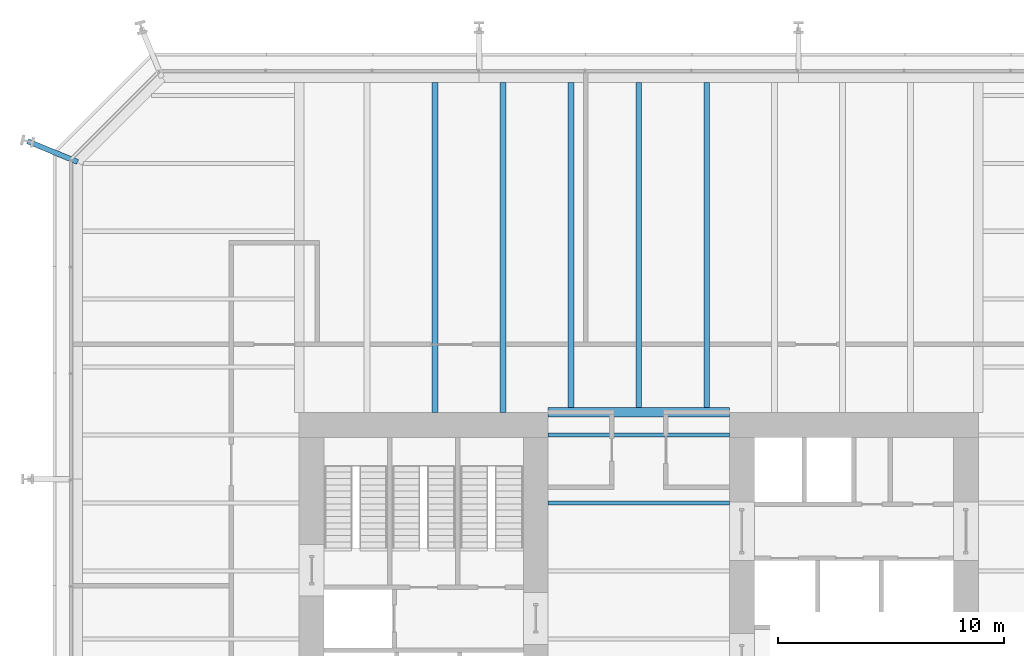
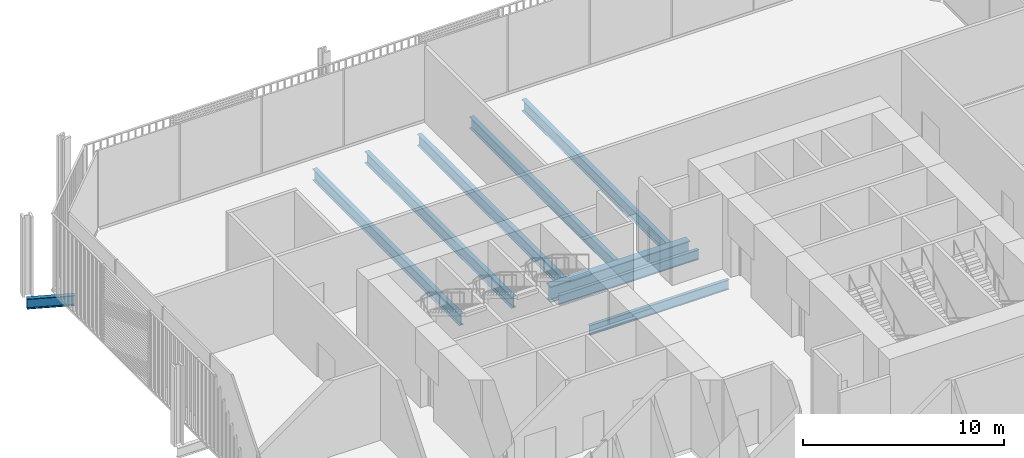
# One storey, part 13 of 22: 9 beams.
"""IFC4 building model written with IfcOpenShell, lengths in metres."""

from ifc_helpers import new_model, si_unit, direction, frame, origin, origin_2d, place, context, subcontext, project, spatial, i_section, extrude, material, material_profile, profile_set, type_object, element, save


model = new_model("IFC4")

# Units and contexts
model_context = context("Model", 3, precision=1e-05, world=origin(), true_north=direction((0.0, 1.0)))
body_context = subcontext(model_context, "Body", "Model", "MODEL_VIEW")
ifc_project = project(units=[si_unit("LENGTHUNIT", "METRE"), si_unit("AREAUNIT", "SQUARE_METRE"), si_unit("VOLUMEUNIT", "CUBIC_METRE"), si_unit("PLANEANGLEUNIT", "RADIAN"), si_unit("MASSUNIT", "GRAM", prefix="KILO")], contexts=[model_context])

# Site, building, storey
site_placement = place(None, origin())
site = spatial("IfcSite", under=ifc_project, at=site_placement, CompositionType="ELEMENT")
building_placement = place(site_placement, origin())
building = spatial("IfcBuilding", under=site, at=building_placement, Name="Millrace Tower", CompositionType="ELEMENT")
storey_placement = place(building_placement, frame((0.0, 0.0, 25.699951171875)))
storey = spatial("IfcBuildingStorey", under=building, at=storey_placement, Name="L06", CompositionType="ELEMENT", Elevation=25.699951171875)

# Beams
ifc_material_1 = material(Name="Steel ASTM A992 Grade 50", Category="steel")
ifc_material_profile_1 = material_profile(ifc_material_1, i_section(OverallWidth=0.177978515625, OverallDepth=0.599365234375, WebThickness=0.010009765625, FlangeThickness=0.012939453125, FilletRadius=0.012939453125, at=origin_2d()))
ifc_profile_set_1 = profile_set([ifc_material_profile_1], Name="Steel ASTM A992 Grade 50")
beam_type_1 = type_object("IfcBeamType", Name="Floor beam W24x55", PredefinedType="JOIST", material=ifc_profile_set_1)
for number, where, z_axis, x_axis, name in (
    (1, (-4.0, 6.0, -0.524658203125), (1.0, 0.0, 0.0), (0.0, 1.0, 0.0), "BM-A-L06-S1-S026"),
    (2, (-4.0, 9.0, -0.524658203125), (1.0, 0.0, 0.0), (0.0, 1.0, 0.0), "BM-A-L06-S1-S029"),
):
    element("IfcBeam", number, at=place(storey_placement, frame(where, z_axis=z_axis, x_axis=x_axis)), inside=storey, type_object=beam_type_1, Name=name, PredefinedType="JOIST", context=body_context, shape_type="SweptSolid", body=[
        extrude(i_section(OverallWidth=0.177978515625, OverallDepth=0.599365234375, WebThickness=0.010009765625, FlangeThickness=0.012939453125, FilletRadius=0.012939453125, at=origin_2d()), origin(), (0.0, 0.0, 1.0), 8.0),
    ])
ifc_material_2 = material(Name="Steel ASTM A992 Grade 50", Category="steel")
ifc_material_profile_2 = material_profile(ifc_material_2, i_section(OverallWidth=0.256591796875, OverallDepth=0.693359375, WebThickness=0.014404296875, FlangeThickness=0.023681640625, FilletRadius=0.01513671875, at=origin_2d()))
ifc_profile_set_2 = profile_set([ifc_material_profile_2], Name="Steel ASTM A992 Grade 50")
beam_type_2 = type_object("IfcBeamType", Name="Floor beam W27x114", PredefinedType="JOIST", material=ifc_profile_set_2)
for number, where, z_axis, x_axis, name in (
    (3, (-9.0, 10.0, -0.57177734375), (0.0, 1.0, 0.0), (-1.0, 0.0, 0.0), "BM-A-L06-S1-S044"),
    (4, (-6.0, 10.0, -0.57177734375), (0.0, 1.0, 0.0), (-1.0, 0.0, 0.0), "BM-A-L06-S1-S046"),
):
    element("IfcBeam", number, at=place(storey_placement, frame(where, z_axis=z_axis, x_axis=x_axis)), inside=storey, type_object=beam_type_2, Name=name, PredefinedType="JOIST", context=body_context, shape_type="SweptSolid", body=[
        extrude(i_section(OverallWidth=0.256591796875, OverallDepth=0.693359375, WebThickness=0.014404296875, FlangeThickness=0.023681640625, FilletRadius=0.01513671875, at=origin_2d()), origin(), (0.0, 0.0, 1.0), 14.578369140625),
    ])
for number, where, z_axis, x_axis, name in (
    (5, (-3.0, 10.212158203125, -0.57177734375), (0.0, 1.0, 0.0), (-1.0, 0.0, 0.0), "BM-A-L06-S1-S048"),
    (6, (0.0, 10.212158203125, -0.57177734375), (0.0, 1.0, 0.0), (-1.0, 0.0, 0.0), "BM-A-L06-S1-S050"),
    (7, (3.0, 10.212158203125, -0.57177734375), (0.0, 1.0, 0.0), (-1.0, 0.0, 0.0), "BM-A-L06-S1-S052"),
):
    element("IfcBeam", number, at=place(storey_placement, frame(where, z_axis=z_axis, x_axis=x_axis)), inside=storey, type_object=beam_type_2, Name=name, PredefinedType="JOIST", context=body_context, shape_type="SweptSolid", body=[
        extrude(i_section(OverallWidth=0.256591796875, OverallDepth=0.693359375, WebThickness=0.014404296875, FlangeThickness=0.023681640625, FilletRadius=0.01513671875, at=origin_2d()), origin(), (0.0, 0.0, 1.0), 14.3662109375),
    ])
ifc_material_3 = material(Name="Steel ASTM A992 Grade 50", Category="steel")
ifc_material_profile_3 = material_profile(ifc_material_3, i_section(OverallWidth=0.424072265625, OverallDepth=0.947509765625, WebThickness=0.02392578125, FlangeThickness=0.042724609375, FilletRadius=0.024169921875, at=origin_2d()))
ifc_profile_set_3 = profile_set([ifc_material_profile_3], Name="Steel ASTM A992 Grade 50")
beam_type_3 = type_object("IfcBeamType", Name="Girder short span W36x302", PredefinedType="BEAM", material=ifc_profile_set_3)
beam_1_placement = place(storey_placement, frame((-4.0, 10.0, -0.69873046875), z_axis=(1.0, 0.0, 0.0), x_axis=(0.0, 1.0, 0.0)))
element("IfcBeam", 8, at=beam_1_placement, inside=storey, type_object=beam_type_3, Name="BM-A-L06-S1-G064", PredefinedType="BEAM", context=body_context, shape_type="SweptSolid", body=[
    extrude(i_section(OverallWidth=0.424072265625, OverallDepth=0.947509765625, WebThickness=0.02392578125, FlangeThickness=0.042724609375, FilletRadius=0.024169921875, at=origin_2d()), origin(), (0.0, 0.0, 1.0), 8.0),
])
ifc_material_4 = material(Name="Steel ASTM A992 Grade 50", Category="steel")
ifc_material_profile_4 = material_profile(ifc_material_4, i_section(OverallWidth=0.23046875, OverallDepth=0.6171875, WebThickness=0.01318359375, FlangeThickness=0.022216796875, FilletRadius=0.012939453125, at=origin_2d()))
ifc_profile_set_4 = profile_set([ifc_material_profile_4], Name="Steel ASTM A992 Grade 50")
beam_type_4 = type_object("IfcBeamType", Name="Link beam W24x94", PredefinedType="BEAM", material=ifc_profile_set_4)
beam_2_placement = place(storey_placement, frame((-24.7890625, 21.062744140625, -0.533447265625), z_axis=(-0.923883789366, 0.382673155247, 0.0), x_axis=(-0.382673155247, -0.923883789366, 0.0)))
element("IfcBeam", 9, at=beam_2_placement, inside=storey, type_object=beam_type_4, Name="LNK-A-L06-S1-04", PredefinedType="BEAM", context=body_context, shape_type="SweptSolid", body=[
    extrude(i_section(OverallWidth=0.23046875, OverallDepth=0.6171875, WebThickness=0.01318359375, FlangeThickness=0.022216796875, FilletRadius=0.012939453125, at=origin_2d()), origin(), (0.0, 0.0, 1.0), 2.39306640625),
])

save(model, "model.ifc")
